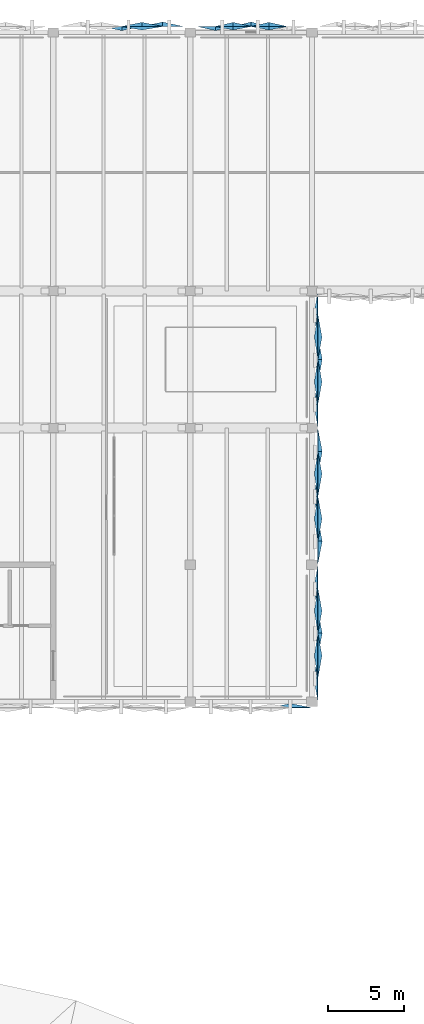
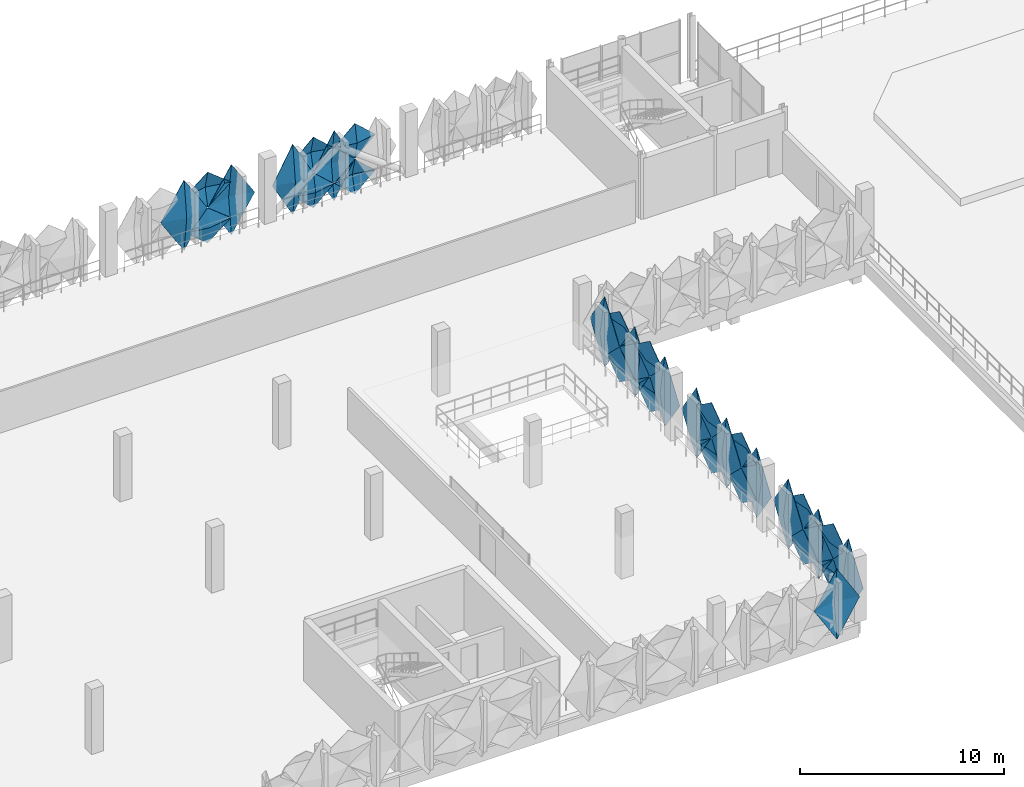
# One storey, part 43 of 52: 32 plates.
"""IFC4 building model written with IfcOpenShell, lengths in metres."""

from ifc_helpers import new_model, si_unit, derived_unit, direction, frame, origin, place, context, subcontext, project, spatial, polygons, material, layer, layer_set, type_object, element, save


model = new_model("IFC4")

# Units and contexts
model_context = context("Model", 3, precision=1e-05, world=origin(), true_north=direction((0.0, 1.0)))
body_context = subcontext(model_context, "Body", "Model", "MODEL_VIEW")
ifc_project = project(units=[si_unit("LENGTHUNIT", "METRE"), si_unit("AREAUNIT", "SQUARE_METRE"), si_unit("VOLUMEUNIT", "CUBIC_METRE"), si_unit("PLANEANGLEUNIT", "RADIAN"), si_unit("MASSUNIT", "GRAM", prefix="KILO"), si_unit("THERMODYNAMICTEMPERATUREUNIT", "KELVIN"), derived_unit("THERMALTRANSMITTANCEUNIT", [(si_unit("POWERUNIT", "WATT"), 1), (si_unit("AREAUNIT", "SQUARE_METRE"), -1), (si_unit("THERMODYNAMICTEMPERATUREUNIT", "KELVIN"), -1)])], contexts=[model_context])

# Site, building, storey
site_placement = place(None, origin())
site = spatial("IfcSite", under=ifc_project, at=site_placement, CompositionType="ELEMENT")
building_placement = place(site_placement, origin())
building = spatial("IfcBuilding", under=site, at=building_placement, Name="Haiyu Intermodal Mobility Hub", CompositionType="ELEMENT")
storey_placement = place(building_placement, frame((0.0, 0.0, 21.199951171875)))
storey = spatial("IfcBuildingStorey", under=building, at=storey_placement, Name="L05", CompositionType="ELEMENT", Elevation=21.199951171875)

# Plates
ifc_material = material(Name="Anodised aluminium 6063-T6", Category="aluminium")
ifc_layer_1 = layer(ifc_material, 0.01806640625)
ifc_layer_set_1 = layer_set([ifc_layer_1], Name="Anodised aluminium 6063-T6")
plate_type_1 = type_object("IfcPlateType", Name="PLT-FC03", PredefinedType="USERDEFINED", material=ifc_layer_set_1)
plate_1_placement = place(storey_placement, origin())
element("IfcPlate", 1, at=plate_1_placement, inside=storey, type_object=plate_type_1, Name="PLT-PYR-0444", ObjectType="FACADE CASSETTE", PredefinedType="USERDEFINED", context=body_context, shape_type="Tessellation", body=[
    polygons([(136.179931640625, 148.39990234375, -0.510009765625), (134.860107421875, 148.39990234375, 1.60009765625), (136.179931640625, 148.39990234375, 3.7099609375), (137.5, 148.39990234375, 1.60009765625), (136.179931640625, 148.679931640625, 1.60009765625), (136.179931640625, 148.3779296875, -0.510009765625), (134.860107421875, 148.3779296875, 1.60009765625), (136.179931640625, 148.3779296875, 3.7099609375), (137.5, 148.3779296875, 1.60009765625), (136.179931640625, 148.657958984375, 1.60009765625)], [[[1, 2, 5]], [[2, 3, 5]], [[3, 4, 5]], [[4, 1, 5]], [[7, 6, 10]], [[8, 7, 10]], [[9, 8, 10]], [[6, 9, 10]], [[1, 6, 7, 2]], [[2, 7, 8, 3]], [[3, 8, 9, 4]], [[4, 9, 6, 1]]], closed=True),
])
plate_2_placement = place(storey_placement, origin())
element("IfcPlate", 2, at=plate_2_placement, inside=storey, type_object=plate_type_1, Name="PLT-PYR-0480", ObjectType="FACADE CASSETTE", PredefinedType="USERDEFINED", context=body_context, shape_type="Tessellation", body=[
    polygons([(143.173095703125, 148.39990234375, -0.52001953125), (142.02001953125, 148.39990234375, 0.530029296875), (143.173095703125, 148.39990234375, 1.580078125), (144.326904296875, 148.39990234375, 0.530029296875), (143.173095703125, 148.659912109375, 0.530029296875), (143.173095703125, 148.3779296875, -0.52001953125), (142.02001953125, 148.3779296875, 0.530029296875), (143.173095703125, 148.3779296875, 1.580078125), (144.326904296875, 148.3779296875, 0.530029296875), (143.173095703125, 148.637939453125, 0.530029296875)], [[[1, 2, 5]], [[2, 3, 5]], [[3, 4, 5]], [[4, 1, 5]], [[7, 6, 10]], [[8, 7, 10]], [[9, 8, 10]], [[6, 9, 10]], [[1, 6, 7, 2]], [[2, 7, 8, 3]], [[3, 8, 9, 4]], [[4, 9, 6, 1]]], closed=True),
])
plate_3_placement = place(storey_placement, origin())
element("IfcPlate", 3, at=plate_3_placement, inside=storey, type_object=plate_type_1, Name="PLT-PYR-0727", ObjectType="FACADE CASSETTE", PredefinedType="USERDEFINED", context=body_context, shape_type="Tessellation", body=[
    polygons([(146.39990234375, 107.027099609375, -0.52001953125), (146.39990234375, 108.47998046875, 0.530029296875), (146.39990234375, 107.027099609375, 1.580078125), (146.39990234375, 105.572998046875, 0.530029296875), (146.659912109375, 107.027099609375, 0.530029296875), (146.3779296875, 107.027099609375, -0.52001953125), (146.3779296875, 108.47998046875, 0.530029296875), (146.3779296875, 107.027099609375, 1.580078125), (146.3779296875, 105.572998046875, 0.530029296875), (146.637939453125, 107.027099609375, 0.530029296875)], [[[1, 2, 5]], [[2, 3, 5]], [[3, 4, 5]], [[4, 1, 5]], [[7, 6, 10]], [[8, 7, 10]], [[9, 8, 10]], [[6, 9, 10]], [[1, 6, 7, 2]], [[2, 7, 8, 3]], [[3, 8, 9, 4]], [[4, 9, 6, 1]]], closed=True),
])
plate_4_placement = place(storey_placement, origin())
element("IfcPlate", 4, at=plate_4_placement, inside=storey, type_object=plate_type_1, Name="PLT-PYR-0733", ObjectType="FACADE CASSETTE", PredefinedType="USERDEFINED", context=body_context, shape_type="Tessellation", body=[
    polygons([(146.39990234375, 114.552978515625, -0.510009765625), (146.39990234375, 116.007080078125, 1.60009765625), (146.39990234375, 114.552978515625, 3.7099609375), (146.39990234375, 113.10009765625, 1.60009765625), (146.679931640625, 114.552978515625, 1.60009765625), (146.3779296875, 114.552978515625, -0.510009765625), (146.3779296875, 116.007080078125, 1.60009765625), (146.3779296875, 114.552978515625, 3.7099609375), (146.3779296875, 113.10009765625, 1.60009765625), (146.657958984375, 114.552978515625, 1.60009765625)], [[[1, 2, 5]], [[2, 3, 5]], [[3, 4, 5]], [[4, 1, 5]], [[7, 6, 10]], [[8, 7, 10]], [[9, 8, 10]], [[6, 9, 10]], [[1, 6, 7, 2]], [[2, 7, 8, 3]], [[3, 8, 9, 4]], [[4, 9, 6, 1]]], closed=True),
])
plate_5_placement = place(storey_placement, origin())
element("IfcPlate", 5, at=plate_5_placement, inside=storey, type_object=plate_type_1, Name="PLT-PYR-0737", ObjectType="FACADE CASSETTE", PredefinedType="USERDEFINED", context=body_context, shape_type="Tessellation", body=[
    polygons([(146.39990234375, 118.972900390625, -0.52001953125), (146.39990234375, 120.427001953125, 0.530029296875), (146.39990234375, 118.972900390625, 1.580078125), (146.39990234375, 117.52001953125, 0.530029296875), (146.659912109375, 118.972900390625, 0.530029296875), (146.3779296875, 118.972900390625, -0.52001953125), (146.3779296875, 120.427001953125, 0.530029296875), (146.3779296875, 118.972900390625, 1.580078125), (146.3779296875, 117.52001953125, 0.530029296875), (146.637939453125, 118.972900390625, 0.530029296875)], [[[1, 2, 5]], [[2, 3, 5]], [[3, 4, 5]], [[4, 1, 5]], [[7, 6, 10]], [[8, 7, 10]], [[9, 8, 10]], [[6, 9, 10]], [[1, 6, 7, 2]], [[2, 7, 8, 3]], [[3, 8, 9, 4]], [[4, 9, 6, 1]]], closed=True),
])
plate_6_placement = place(storey_placement, origin())
element("IfcPlate", 6, at=plate_6_placement, inside=storey, type_object=plate_type_1, Name="PLT-PYR-0741", ObjectType="FACADE CASSETTE", PredefinedType="USERDEFINED", context=body_context, shape_type="Tessellation", body=[
    polygons([(146.39990234375, 125.027099609375, -0.52001953125), (146.39990234375, 126.47998046875, 0.530029296875), (146.39990234375, 125.027099609375, 1.580078125), (146.39990234375, 123.572998046875, 0.530029296875), (146.659912109375, 125.027099609375, 0.530029296875), (146.3779296875, 125.027099609375, -0.52001953125), (146.3779296875, 126.47998046875, 0.530029296875), (146.3779296875, 125.027099609375, 1.580078125), (146.3779296875, 123.572998046875, 0.530029296875), (146.637939453125, 125.027099609375, 0.530029296875)], [[[1, 2, 5]], [[2, 3, 5]], [[3, 4, 5]], [[4, 1, 5]], [[7, 6, 10]], [[8, 7, 10]], [[9, 8, 10]], [[6, 9, 10]], [[1, 6, 7, 2]], [[2, 7, 8, 3]], [[3, 8, 9, 4]], [[4, 9, 6, 1]]], closed=True),
])
ifc_layer_2 = layer(ifc_material, 0.02001953125)
ifc_layer_set_2 = layer_set([ifc_layer_2], Name="Anodised aluminium 6063-T6")
plate_type_2 = type_object("IfcPlateType", Name="PLT-FC04", PredefinedType="USERDEFINED", material=ifc_layer_set_2)
plate_7_placement = place(storey_placement, origin())
element("IfcPlate", 7, at=plate_7_placement, inside=storey, type_object=plate_type_2, Name="PLT-PYR-0445", ObjectType="FACADE CASSETTE", PredefinedType="USERDEFINED", context=body_context, shape_type="Tessellation", body=[
    polygons([(134.840087890625, 148.39990234375, -0.52001953125), (133.52001953125, 148.39990234375, 0.530029296875), (134.840087890625, 148.39990234375, 1.580078125), (136.159912109375, 148.39990234375, 0.530029296875), (134.840087890625, 148.179931640625, 0.530029296875), (134.840087890625, 148.3779296875, -0.52001953125), (133.52001953125, 148.3779296875, 0.530029296875), (134.840087890625, 148.3779296875, 1.580078125), (136.159912109375, 148.3779296875, 0.530029296875), (134.840087890625, 148.157958984375, 0.530029296875)], [[[1, 2, 5]], [[2, 3, 5]], [[3, 4, 5]], [[4, 1, 5]], [[7, 6, 10]], [[8, 7, 10]], [[9, 8, 10]], [[6, 9, 10]], [[1, 6, 7, 2]], [[2, 7, 8, 3]], [[3, 8, 9, 4]], [[4, 9, 6, 1]]], closed=True),
])
plate_8_placement = place(storey_placement, origin())
element("IfcPlate", 8, at=plate_8_placement, inside=storey, type_object=plate_type_2, Name="PLT-PYR-0483", ObjectType="FACADE CASSETTE", PredefinedType="USERDEFINED", context=body_context, shape_type="Tessellation", body=[
    polygons([(140.826904296875, 148.39990234375, -0.52001953125), (139.673095703125, 148.39990234375, 0.530029296875), (140.826904296875, 148.39990234375, 1.580078125), (141.97998046875, 148.39990234375, 0.530029296875), (140.826904296875, 148.179931640625, 0.530029296875), (140.826904296875, 148.3779296875, -0.52001953125), (139.673095703125, 148.3779296875, 0.530029296875), (140.826904296875, 148.3779296875, 1.580078125), (141.97998046875, 148.3779296875, 0.530029296875), (140.826904296875, 148.157958984375, 0.530029296875)], [[[1, 2, 5]], [[2, 3, 5]], [[3, 4, 5]], [[4, 1, 5]], [[7, 6, 10]], [[8, 7, 10]], [[9, 8, 10]], [[6, 9, 10]], [[1, 6, 7, 2]], [[2, 7, 8, 3]], [[3, 8, 9, 4]], [[4, 9, 6, 1]]], closed=True),
])
plate_9_placement = place(storey_placement, origin())
element("IfcPlate", 9, at=plate_9_placement, inside=storey, type_object=plate_type_2, Name="PLT-PYR-0726", ObjectType="FACADE CASSETTE", PredefinedType="USERDEFINED", context=body_context, shape_type="Tessellation", body=[
    polygons([(146.39990234375, 105.552978515625, -0.510009765625), (146.39990234375, 107.007080078125, 1.60009765625), (146.39990234375, 105.552978515625, 3.7099609375), (146.39990234375, 104.10009765625, 1.60009765625), (146.139892578125, 105.552978515625, 1.60009765625), (146.3779296875, 105.552978515625, -0.510009765625), (146.3779296875, 107.007080078125, 1.60009765625), (146.3779296875, 105.552978515625, 3.7099609375), (146.3779296875, 104.10009765625, 1.60009765625), (146.117919921875, 105.552978515625, 1.60009765625)], [[[1, 2, 5]], [[2, 3, 5]], [[3, 4, 5]], [[4, 1, 5]], [[7, 6, 10]], [[8, 7, 10]], [[9, 8, 10]], [[6, 9, 10]], [[1, 6, 7, 2]], [[2, 7, 8, 3]], [[3, 8, 9, 4]], [[4, 9, 6, 1]]], closed=True),
])
plate_10_placement = place(storey_placement, origin())
element("IfcPlate", 10, at=plate_10_placement, inside=storey, type_object=plate_type_2, Name="PLT-PYR-0730", ObjectType="FACADE CASSETTE", PredefinedType="USERDEFINED", context=body_context, shape_type="Tessellation", body=[
    polygons([(146.39990234375, 109.972900390625, -0.52001953125), (146.39990234375, 111.427001953125, 0.530029296875), (146.39990234375, 109.972900390625, 1.580078125), (146.39990234375, 108.52001953125, 0.530029296875), (146.179931640625, 109.972900390625, 0.530029296875), (146.3779296875, 109.972900390625, -0.52001953125), (146.3779296875, 111.427001953125, 0.530029296875), (146.3779296875, 109.972900390625, 1.580078125), (146.3779296875, 108.52001953125, 0.530029296875), (146.157958984375, 109.972900390625, 0.530029296875)], [[[1, 2, 5]], [[2, 3, 5]], [[3, 4, 5]], [[4, 1, 5]], [[7, 6, 10]], [[8, 7, 10]], [[9, 8, 10]], [[6, 9, 10]], [[1, 6, 7, 2]], [[2, 7, 8, 3]], [[3, 8, 9, 4]], [[4, 9, 6, 1]]], closed=True),
])
plate_11_placement = place(storey_placement, origin())
element("IfcPlate", 11, at=plate_11_placement, inside=storey, type_object=plate_type_2, Name="PLT-PYR-0734", ObjectType="FACADE CASSETTE", PredefinedType="USERDEFINED", context=body_context, shape_type="Tessellation", body=[
    polygons([(146.39990234375, 116.027099609375, -0.52001953125), (146.39990234375, 117.47998046875, 0.530029296875), (146.39990234375, 116.027099609375, 1.580078125), (146.39990234375, 114.572998046875, 0.530029296875), (146.179931640625, 116.027099609375, 0.530029296875), (146.3779296875, 116.027099609375, -0.52001953125), (146.3779296875, 117.47998046875, 0.530029296875), (146.3779296875, 116.027099609375, 1.580078125), (146.3779296875, 114.572998046875, 0.530029296875), (146.157958984375, 116.027099609375, 0.530029296875)], [[[1, 2, 5]], [[2, 3, 5]], [[3, 4, 5]], [[4, 1, 5]], [[7, 6, 10]], [[8, 7, 10]], [[9, 8, 10]], [[6, 9, 10]], [[1, 6, 7, 2]], [[2, 7, 8, 3]], [[3, 8, 9, 4]], [[4, 9, 6, 1]]], closed=True),
])
plate_12_placement = place(storey_placement, origin())
element("IfcPlate", 12, at=plate_12_placement, inside=storey, type_object=plate_type_2, Name="PLT-PYR-0740", ObjectType="FACADE CASSETTE", PredefinedType="USERDEFINED", context=body_context, shape_type="Tessellation", body=[
    polygons([(146.39990234375, 123.552978515625, -0.510009765625), (146.39990234375, 125.007080078125, 1.60009765625), (146.39990234375, 123.552978515625, 3.7099609375), (146.39990234375, 122.10009765625, 1.60009765625), (146.139892578125, 123.552978515625, 1.60009765625), (146.3779296875, 123.552978515625, -0.510009765625), (146.3779296875, 125.007080078125, 1.60009765625), (146.3779296875, 123.552978515625, 3.7099609375), (146.3779296875, 122.10009765625, 1.60009765625), (146.117919921875, 123.552978515625, 1.60009765625)], [[[1, 2, 5]], [[2, 3, 5]], [[3, 4, 5]], [[4, 1, 5]], [[7, 6, 10]], [[8, 7, 10]], [[9, 8, 10]], [[6, 9, 10]], [[1, 6, 7, 2]], [[2, 7, 8, 3]], [[3, 8, 9, 4]], [[4, 9, 6, 1]]], closed=True),
])
plate_13_placement = place(storey_placement, origin())
element("IfcPlate", 13, at=plate_13_placement, inside=storey, type_object=plate_type_2, Name="PLT-PYR-0744", ObjectType="FACADE CASSETTE", PredefinedType="USERDEFINED", context=body_context, shape_type="Tessellation", body=[
    polygons([(146.39990234375, 127.972900390625, -0.52001953125), (146.39990234375, 129.427001953125, 0.530029296875), (146.39990234375, 127.972900390625, 1.580078125), (146.39990234375, 126.52001953125, 0.530029296875), (146.179931640625, 127.972900390625, 0.530029296875), (146.3779296875, 127.972900390625, -0.52001953125), (146.3779296875, 129.427001953125, 0.530029296875), (146.3779296875, 127.972900390625, 1.580078125), (146.3779296875, 126.52001953125, 0.530029296875), (146.157958984375, 127.972900390625, 0.530029296875)], [[[1, 2, 5]], [[2, 3, 5]], [[3, 4, 5]], [[4, 1, 5]], [[7, 6, 10]], [[8, 7, 10]], [[9, 8, 10]], [[6, 9, 10]], [[1, 6, 7, 2]], [[2, 7, 8, 3]], [[3, 8, 9, 4]], [[4, 9, 6, 1]]], closed=True),
])
ifc_layer_3 = layer(ifc_material, 0.01806640625)
ifc_layer_set_3 = layer_set([ifc_layer_3], Name="Anodised aluminium 6063-T6")
plate_type_3 = type_object("IfcPlateType", Name="PLT-FC05", PredefinedType="USERDEFINED", material=ifc_layer_set_3)
plate_14_placement = place(storey_placement, origin())
element("IfcPlate", 14, at=plate_14_placement, inside=storey, type_object=plate_type_3, Name="PLT-PYR-0446", ObjectType="FACADE CASSETTE", PredefinedType="USERDEFINED", context=body_context, shape_type="Tessellation", body=[
    polygons([(134.840087890625, 148.39990234375, 1.6201171875), (133.52001953125, 148.39990234375, 2.670166015625), (134.840087890625, 148.39990234375, 3.719970703125), (136.159912109375, 148.39990234375, 2.670166015625), (134.840087890625, 148.659912109375, 2.670166015625), (134.840087890625, 148.3779296875, 1.6201171875), (133.52001953125, 148.3779296875, 2.670166015625), (134.840087890625, 148.3779296875, 3.719970703125), (136.159912109375, 148.3779296875, 2.670166015625), (134.840087890625, 148.637939453125, 2.670166015625)], [[[1, 2, 5]], [[2, 3, 5]], [[3, 4, 5]], [[4, 1, 5]], [[7, 6, 10]], [[8, 7, 10]], [[9, 8, 10]], [[6, 9, 10]], [[1, 6, 7, 2]], [[2, 7, 8, 3]], [[3, 8, 9, 4]], [[4, 9, 6, 1]]], closed=True),
])
plate_15_placement = place(storey_placement, origin())
element("IfcPlate", 15, at=plate_15_placement, inside=storey, type_object=plate_type_3, Name="PLT-PYR-0482", ObjectType="FACADE CASSETTE", PredefinedType="USERDEFINED", context=body_context, shape_type="Tessellation", body=[
    polygons([(142.0, 148.39990234375, -0.510009765625), (140.846923828125, 148.39990234375, 1.60009765625), (142.0, 148.39990234375, 3.7099609375), (143.153076171875, 148.39990234375, 1.60009765625), (142.0, 148.679931640625, 1.60009765625), (142.0, 148.3779296875, -0.510009765625), (140.846923828125, 148.3779296875, 1.60009765625), (142.0, 148.3779296875, 3.7099609375), (143.153076171875, 148.3779296875, 1.60009765625), (142.0, 148.657958984375, 1.60009765625)], [[[1, 2, 5]], [[2, 3, 5]], [[3, 4, 5]], [[4, 1, 5]], [[7, 6, 10]], [[8, 7, 10]], [[9, 8, 10]], [[6, 9, 10]], [[1, 6, 7, 2]], [[2, 7, 8, 3]], [[3, 8, 9, 4]], [[4, 9, 6, 1]]], closed=True),
])
plate_16_placement = place(storey_placement, origin())
element("IfcPlate", 16, at=plate_16_placement, inside=storey, type_object=plate_type_3, Name="PLT-PYR-0484", ObjectType="FACADE CASSETTE", PredefinedType="USERDEFINED", context=body_context, shape_type="Tessellation", body=[
    polygons([(140.826904296875, 148.39990234375, 1.6201171875), (139.673095703125, 148.39990234375, 2.670166015625), (140.826904296875, 148.39990234375, 3.719970703125), (141.97998046875, 148.39990234375, 2.670166015625), (140.826904296875, 148.659912109375, 2.670166015625), (140.826904296875, 148.3779296875, 1.6201171875), (139.673095703125, 148.3779296875, 2.670166015625), (140.826904296875, 148.3779296875, 3.719970703125), (141.97998046875, 148.3779296875, 2.670166015625), (140.826904296875, 148.637939453125, 2.670166015625)], [[[1, 2, 5]], [[2, 3, 5]], [[3, 4, 5]], [[4, 1, 5]], [[7, 6, 10]], [[8, 7, 10]], [[9, 8, 10]], [[6, 9, 10]], [[1, 6, 7, 2]], [[2, 7, 8, 3]], [[3, 8, 9, 4]], [[4, 9, 6, 1]]], closed=True),
])
plate_17_placement = place(storey_placement, origin())
element("IfcPlate", 17, at=plate_17_placement, inside=storey, type_object=plate_type_3, Name="PLT-PYR-0729", ObjectType="FACADE CASSETTE", PredefinedType="USERDEFINED", context=body_context, shape_type="Tessellation", body=[
    polygons([(146.39990234375, 108.5, -0.510009765625), (146.39990234375, 109.952880859375, 1.60009765625), (146.39990234375, 108.5, 3.7099609375), (146.39990234375, 107.047119140625, 1.60009765625), (146.679931640625, 108.5, 1.60009765625), (146.3779296875, 108.5, -0.510009765625), (146.3779296875, 109.952880859375, 1.60009765625), (146.3779296875, 108.5, 3.7099609375), (146.3779296875, 107.047119140625, 1.60009765625), (146.657958984375, 108.5, 1.60009765625)], [[[1, 2, 5]], [[2, 3, 5]], [[3, 4, 5]], [[4, 1, 5]], [[7, 6, 10]], [[8, 7, 10]], [[9, 8, 10]], [[6, 9, 10]], [[1, 6, 7, 2]], [[2, 7, 8, 3]], [[3, 8, 9, 4]], [[4, 9, 6, 1]]], closed=True),
])
plate_18_placement = place(storey_placement, origin())
element("IfcPlate", 18, at=plate_18_placement, inside=storey, type_object=plate_type_3, Name="PLT-PYR-0731", ObjectType="FACADE CASSETTE", PredefinedType="USERDEFINED", context=body_context, shape_type="Tessellation", body=[
    polygons([(146.39990234375, 109.972900390625, 1.6201171875), (146.39990234375, 111.427001953125, 2.670166015625), (146.39990234375, 109.972900390625, 3.719970703125), (146.39990234375, 108.52001953125, 2.670166015625), (146.659912109375, 109.972900390625, 2.670166015625), (146.3779296875, 109.972900390625, 1.6201171875), (146.3779296875, 111.427001953125, 2.670166015625), (146.3779296875, 109.972900390625, 3.719970703125), (146.3779296875, 108.52001953125, 2.670166015625), (146.637939453125, 109.972900390625, 2.670166015625)], [[[1, 2, 5]], [[2, 3, 5]], [[3, 4, 5]], [[4, 1, 5]], [[7, 6, 10]], [[8, 7, 10]], [[9, 8, 10]], [[6, 9, 10]], [[1, 6, 7, 2]], [[2, 7, 8, 3]], [[3, 8, 9, 4]], [[4, 9, 6, 1]]], closed=True),
])
plate_19_placement = place(storey_placement, origin())
element("IfcPlate", 19, at=plate_19_placement, inside=storey, type_object=plate_type_3, Name="PLT-PYR-0735", ObjectType="FACADE CASSETTE", PredefinedType="USERDEFINED", context=body_context, shape_type="Tessellation", body=[
    polygons([(146.39990234375, 116.027099609375, 1.6201171875), (146.39990234375, 117.47998046875, 2.670166015625), (146.39990234375, 116.027099609375, 3.719970703125), (146.39990234375, 114.572998046875, 2.670166015625), (146.659912109375, 116.027099609375, 2.670166015625), (146.3779296875, 116.027099609375, 1.6201171875), (146.3779296875, 117.47998046875, 2.670166015625), (146.3779296875, 116.027099609375, 3.719970703125), (146.3779296875, 114.572998046875, 2.670166015625), (146.637939453125, 116.027099609375, 2.670166015625)], [[[1, 2, 5]], [[2, 3, 5]], [[3, 4, 5]], [[4, 1, 5]], [[7, 6, 10]], [[8, 7, 10]], [[9, 8, 10]], [[6, 9, 10]], [[1, 6, 7, 2]], [[2, 7, 8, 3]], [[3, 8, 9, 4]], [[4, 9, 6, 1]]], closed=True),
])
plate_20_placement = place(storey_placement, origin())
element("IfcPlate", 20, at=plate_20_placement, inside=storey, type_object=plate_type_3, Name="PLT-PYR-0743", ObjectType="FACADE CASSETTE", PredefinedType="USERDEFINED", context=body_context, shape_type="Tessellation", body=[
    polygons([(146.39990234375, 126.5, -0.510009765625), (146.39990234375, 127.952880859375, 1.60009765625), (146.39990234375, 126.5, 3.7099609375), (146.39990234375, 125.047119140625, 1.60009765625), (146.679931640625, 126.5, 1.60009765625), (146.3779296875, 126.5, -0.510009765625), (146.3779296875, 127.952880859375, 1.60009765625), (146.3779296875, 126.5, 3.7099609375), (146.3779296875, 125.047119140625, 1.60009765625), (146.657958984375, 126.5, 1.60009765625)], [[[1, 2, 5]], [[2, 3, 5]], [[3, 4, 5]], [[4, 1, 5]], [[7, 6, 10]], [[8, 7, 10]], [[9, 8, 10]], [[6, 9, 10]], [[1, 6, 7, 2]], [[2, 7, 8, 3]], [[3, 8, 9, 4]], [[4, 9, 6, 1]]], closed=True),
])
plate_21_placement = place(storey_placement, origin())
element("IfcPlate", 21, at=plate_21_placement, inside=storey, type_object=plate_type_3, Name="PLT-PYR-0745", ObjectType="FACADE CASSETTE", PredefinedType="USERDEFINED", context=body_context, shape_type="Tessellation", body=[
    polygons([(146.39990234375, 127.972900390625, 1.6201171875), (146.39990234375, 129.427001953125, 2.670166015625), (146.39990234375, 127.972900390625, 3.719970703125), (146.39990234375, 126.52001953125, 2.670166015625), (146.659912109375, 127.972900390625, 2.670166015625), (146.3779296875, 127.972900390625, 1.6201171875), (146.3779296875, 129.427001953125, 2.670166015625), (146.3779296875, 127.972900390625, 3.719970703125), (146.3779296875, 126.52001953125, 2.670166015625), (146.637939453125, 127.972900390625, 2.670166015625)], [[[1, 2, 5]], [[2, 3, 5]], [[3, 4, 5]], [[4, 1, 5]], [[7, 6, 10]], [[8, 7, 10]], [[9, 8, 10]], [[6, 9, 10]], [[1, 6, 7, 2]], [[2, 7, 8, 3]], [[3, 8, 9, 4]], [[4, 9, 6, 1]]], closed=True),
])
ifc_layer_4 = layer(ifc_material, 0.02001953125)
ifc_layer_set_4 = layer_set([ifc_layer_4], Name="Anodised aluminium 6063-T6")
plate_type_4 = type_object("IfcPlateType", Name="PLT-FC06", PredefinedType="USERDEFINED", material=ifc_layer_set_4)
plate_22_placement = place(storey_placement, origin())
element("IfcPlate", 22, at=plate_22_placement, inside=storey, type_object=plate_type_4, Name="PLT-PYR-0447", ObjectType="FACADE CASSETTE", PredefinedType="USERDEFINED", context=body_context, shape_type="Tessellation", body=[
    polygons([(133.5, 148.39990234375, -0.510009765625), (132.179931640625, 148.39990234375, 1.60009765625), (133.5, 148.39990234375, 3.7099609375), (134.820068359375, 148.39990234375, 1.60009765625), (133.5, 148.139892578125, 1.60009765625), (133.5, 148.3779296875, -0.510009765625), (132.179931640625, 148.3779296875, 1.60009765625), (133.5, 148.3779296875, 3.7099609375), (134.820068359375, 148.3779296875, 1.60009765625), (133.5, 148.117919921875, 1.60009765625)], [[[1, 2, 5]], [[2, 3, 5]], [[3, 4, 5]], [[4, 1, 5]], [[7, 6, 10]], [[8, 7, 10]], [[9, 8, 10]], [[6, 9, 10]], [[1, 6, 7, 2]], [[2, 7, 8, 3]], [[3, 8, 9, 4]], [[4, 9, 6, 1]]], closed=True),
])
plate_23_placement = place(storey_placement, origin())
element("IfcPlate", 23, at=plate_23_placement, inside=storey, type_object=plate_type_4, Name="PLT-PYR-0481", ObjectType="FACADE CASSETTE", PredefinedType="USERDEFINED", context=body_context, shape_type="Tessellation", body=[
    polygons([(143.173095703125, 148.39990234375, 1.6201171875), (142.02001953125, 148.39990234375, 2.670166015625), (143.173095703125, 148.39990234375, 3.719970703125), (144.326904296875, 148.39990234375, 2.670166015625), (143.173095703125, 148.179931640625, 2.670166015625), (143.173095703125, 148.3779296875, 1.6201171875), (142.02001953125, 148.3779296875, 2.670166015625), (143.173095703125, 148.3779296875, 3.719970703125), (144.326904296875, 148.3779296875, 2.670166015625), (143.173095703125, 148.157958984375, 2.670166015625)], [[[1, 2, 5]], [[2, 3, 5]], [[3, 4, 5]], [[4, 1, 5]], [[7, 6, 10]], [[8, 7, 10]], [[9, 8, 10]], [[6, 9, 10]], [[1, 6, 7, 2]], [[2, 7, 8, 3]], [[3, 8, 9, 4]], [[4, 9, 6, 1]]], closed=True),
])
plate_24_placement = place(storey_placement, origin())
element("IfcPlate", 24, at=plate_24_placement, inside=storey, type_object=plate_type_4, Name="PLT-PYR-0728", ObjectType="FACADE CASSETTE", PredefinedType="USERDEFINED", context=body_context, shape_type="Tessellation", body=[
    polygons([(146.39990234375, 107.027099609375, 1.6201171875), (146.39990234375, 108.47998046875, 2.670166015625), (146.39990234375, 107.027099609375, 3.719970703125), (146.39990234375, 105.572998046875, 2.670166015625), (146.179931640625, 107.027099609375, 2.670166015625), (146.3779296875, 107.027099609375, 1.6201171875), (146.3779296875, 108.47998046875, 2.670166015625), (146.3779296875, 107.027099609375, 3.719970703125), (146.3779296875, 105.572998046875, 2.670166015625), (146.157958984375, 107.027099609375, 2.670166015625)], [[[1, 2, 5]], [[2, 3, 5]], [[3, 4, 5]], [[4, 1, 5]], [[7, 6, 10]], [[8, 7, 10]], [[9, 8, 10]], [[6, 9, 10]], [[1, 6, 7, 2]], [[2, 7, 8, 3]], [[3, 8, 9, 4]], [[4, 9, 6, 1]]], closed=True),
])
plate_25_placement = place(storey_placement, origin())
element("IfcPlate", 25, at=plate_25_placement, inside=storey, type_object=plate_type_4, Name="PLT-PYR-0736", ObjectType="FACADE CASSETTE", PredefinedType="USERDEFINED", context=body_context, shape_type="Tessellation", body=[
    polygons([(146.39990234375, 117.5, -0.510009765625), (146.39990234375, 118.952880859375, 1.60009765625), (146.39990234375, 117.5, 3.7099609375), (146.39990234375, 116.047119140625, 1.60009765625), (146.139892578125, 117.5, 1.60009765625), (146.3779296875, 117.5, -0.510009765625), (146.3779296875, 118.952880859375, 1.60009765625), (146.3779296875, 117.5, 3.7099609375), (146.3779296875, 116.047119140625, 1.60009765625), (146.117919921875, 117.5, 1.60009765625)], [[[1, 2, 5]], [[2, 3, 5]], [[3, 4, 5]], [[4, 1, 5]], [[7, 6, 10]], [[8, 7, 10]], [[9, 8, 10]], [[6, 9, 10]], [[1, 6, 7, 2]], [[2, 7, 8, 3]], [[3, 8, 9, 4]], [[4, 9, 6, 1]]], closed=True),
])
plate_26_placement = place(storey_placement, origin())
element("IfcPlate", 26, at=plate_26_placement, inside=storey, type_object=plate_type_4, Name="PLT-PYR-0738", ObjectType="FACADE CASSETTE", PredefinedType="USERDEFINED", context=body_context, shape_type="Tessellation", body=[
    polygons([(146.39990234375, 118.972900390625, 1.6201171875), (146.39990234375, 120.427001953125, 2.670166015625), (146.39990234375, 118.972900390625, 3.719970703125), (146.39990234375, 117.52001953125, 2.670166015625), (146.179931640625, 118.972900390625, 2.670166015625), (146.3779296875, 118.972900390625, 1.6201171875), (146.3779296875, 120.427001953125, 2.670166015625), (146.3779296875, 118.972900390625, 3.719970703125), (146.3779296875, 117.52001953125, 2.670166015625), (146.157958984375, 118.972900390625, 2.670166015625)], [[[1, 2, 5]], [[2, 3, 5]], [[3, 4, 5]], [[4, 1, 5]], [[7, 6, 10]], [[8, 7, 10]], [[9, 8, 10]], [[6, 9, 10]], [[1, 6, 7, 2]], [[2, 7, 8, 3]], [[3, 8, 9, 4]], [[4, 9, 6, 1]]], closed=True),
])
plate_27_placement = place(storey_placement, origin())
element("IfcPlate", 27, at=plate_27_placement, inside=storey, type_object=plate_type_4, Name="PLT-PYR-0742", ObjectType="FACADE CASSETTE", PredefinedType="USERDEFINED", context=body_context, shape_type="Tessellation", body=[
    polygons([(146.39990234375, 125.027099609375, 1.6201171875), (146.39990234375, 126.47998046875, 2.670166015625), (146.39990234375, 125.027099609375, 3.719970703125), (146.39990234375, 123.572998046875, 2.670166015625), (146.179931640625, 125.027099609375, 2.670166015625), (146.3779296875, 125.027099609375, 1.6201171875), (146.3779296875, 126.47998046875, 2.670166015625), (146.3779296875, 125.027099609375, 3.719970703125), (146.3779296875, 123.572998046875, 2.670166015625), (146.157958984375, 125.027099609375, 2.670166015625)], [[[1, 2, 5]], [[2, 3, 5]], [[3, 4, 5]], [[4, 1, 5]], [[7, 6, 10]], [[8, 7, 10]], [[9, 8, 10]], [[6, 9, 10]], [[1, 6, 7, 2]], [[2, 7, 8, 3]], [[3, 8, 9, 4]], [[4, 9, 6, 1]]], closed=True),
])
ifc_layer_5 = layer(ifc_material, 0.02197265625)
ifc_layer_set_5 = layer_set([ifc_layer_5], Name="Anodised aluminium 6063-T6")
plate_type_5 = type_object("IfcPlateType", Name="PLT-FC07", PredefinedType="USERDEFINED", material=ifc_layer_set_5)
plate_28_placement = place(storey_placement, origin())
element("IfcPlate", 28, at=plate_28_placement, inside=storey, type_object=plate_type_5, Name="PLT-PYR-0739", ObjectType="FACADE CASSETTE", PredefinedType="USERDEFINED", context=body_context, shape_type="Tessellation", body=[
    polygons([(146.39990234375, 120.447021484375, -0.510009765625), (146.39990234375, 121.89990234375, 1.60009765625), (146.39990234375, 120.447021484375, 3.7099609375), (146.39990234375, 118.992919921875, 1.60009765625), (146.679931640625, 120.447021484375, 1.60009765625), (146.3779296875, 120.447021484375, -0.510009765625), (146.3779296875, 121.89990234375, 1.60009765625), (146.3779296875, 120.447021484375, 3.7099609375), (146.3779296875, 118.992919921875, 1.60009765625), (146.657958984375, 120.447021484375, 1.60009765625)], [[[1, 2, 5]], [[2, 3, 5]], [[3, 4, 5]], [[4, 1, 5]], [[7, 6, 10]], [[8, 7, 10]], [[9, 8, 10]], [[6, 9, 10]], [[1, 6, 7, 2]], [[2, 7, 8, 3]], [[3, 8, 9, 4]], [[4, 9, 6, 1]]], closed=True),
])
ifc_layer_6 = layer(ifc_material, 0.02392578125)
ifc_layer_set_6 = layer_set([ifc_layer_6], Name="Anodised aluminium 6063-T6")
plate_type_6 = type_object("IfcPlateType", Name="PLT-FC08", PredefinedType="USERDEFINED", material=ifc_layer_set_6)
plate_29_placement = place(storey_placement, origin())
element("IfcPlate", 29, at=plate_29_placement, inside=storey, type_object=plate_type_6, Name="PLT-PYR-0485", ObjectType="FACADE CASSETTE", PredefinedType="USERDEFINED", context=body_context, shape_type="Tessellation", body=[
    polygons([(139.653076171875, 148.39990234375, -0.510009765625), (138.5, 148.39990234375, 1.60009765625), (139.653076171875, 148.39990234375, 3.7099609375), (140.806884765625, 148.39990234375, 1.60009765625), (139.653076171875, 148.139892578125, 1.60009765625), (139.653076171875, 148.3779296875, -0.510009765625), (138.5, 148.3779296875, 1.60009765625), (139.653076171875, 148.3779296875, 3.7099609375), (140.806884765625, 148.3779296875, 1.60009765625), (139.653076171875, 148.117919921875, 1.60009765625)], [[[1, 2, 5]], [[2, 3, 5]], [[3, 4, 5]], [[4, 1, 5]], [[7, 6, 10]], [[8, 7, 10]], [[9, 8, 10]], [[6, 9, 10]], [[1, 6, 7, 2]], [[2, 7, 8, 3]], [[3, 8, 9, 4]], [[4, 9, 6, 1]]], closed=True),
])
plate_30_placement = place(storey_placement, origin())
element("IfcPlate", 30, at=plate_30_placement, inside=storey, type_object=plate_type_6, Name="PLT-PYR-0732", ObjectType="FACADE CASSETTE", PredefinedType="USERDEFINED", context=body_context, shape_type="Tessellation", body=[
    polygons([(146.39990234375, 111.447021484375, -0.510009765625), (146.39990234375, 112.89990234375, 1.60009765625), (146.39990234375, 111.447021484375, 3.7099609375), (146.39990234375, 109.992919921875, 1.60009765625), (146.139892578125, 111.447021484375, 1.60009765625), (146.3779296875, 111.447021484375, -0.510009765625), (146.3779296875, 112.89990234375, 1.60009765625), (146.3779296875, 111.447021484375, 3.7099609375), (146.3779296875, 109.992919921875, 1.60009765625), (146.117919921875, 111.447021484375, 1.60009765625)], [[[1, 2, 5]], [[2, 3, 5]], [[3, 4, 5]], [[4, 1, 5]], [[7, 6, 10]], [[8, 7, 10]], [[9, 8, 10]], [[6, 9, 10]], [[1, 6, 7, 2]], [[2, 7, 8, 3]], [[3, 8, 9, 4]], [[4, 9, 6, 1]]], closed=True),
])
plate_31_placement = place(storey_placement, origin())
element("IfcPlate", 31, at=plate_31_placement, inside=storey, type_object=plate_type_6, Name="PLT-PYR-0746", ObjectType="FACADE CASSETTE", PredefinedType="USERDEFINED", context=body_context, shape_type="Tessellation", body=[
    polygons([(146.39990234375, 129.447021484375, -0.510009765625), (146.39990234375, 130.89990234375, 1.60009765625), (146.39990234375, 129.447021484375, 3.7099609375), (146.39990234375, 127.992919921875, 1.60009765625), (146.139892578125, 129.447021484375, 1.60009765625), (146.3779296875, 129.447021484375, -0.510009765625), (146.3779296875, 130.89990234375, 1.60009765625), (146.3779296875, 129.447021484375, 3.7099609375), (146.3779296875, 127.992919921875, 1.60009765625), (146.117919921875, 129.447021484375, 1.60009765625)], [[[1, 2, 5]], [[2, 3, 5]], [[3, 4, 5]], [[4, 1, 5]], [[7, 6, 10]], [[8, 7, 10]], [[9, 8, 10]], [[6, 9, 10]], [[1, 6, 7, 2]], [[2, 7, 8, 3]], [[3, 8, 9, 4]], [[4, 9, 6, 1]]], closed=True),
])
plate_32_placement = place(storey_placement, origin())
element("IfcPlate", 32, at=plate_32_placement, inside=storey, type_object=plate_type_6, Name="PLT-PYR-1014", ObjectType="FACADE CASSETTE", PredefinedType="USERDEFINED", context=body_context, shape_type="Tessellation", body=[
    polygons([(144.613037109375, 103.60009765625, -0.510009765625), (145.89990234375, 103.60009765625, 1.60009765625), (144.613037109375, 103.60009765625, 3.7099609375), (143.326904296875, 103.60009765625, 1.60009765625), (144.613037109375, 103.860107421875, 1.60009765625), (144.613037109375, 103.6220703125, -0.510009765625), (145.89990234375, 103.6220703125, 1.60009765625), (144.613037109375, 103.6220703125, 3.7099609375), (143.326904296875, 103.6220703125, 1.60009765625), (144.613037109375, 103.882080078125, 1.60009765625)], [[[1, 2, 5]], [[2, 3, 5]], [[3, 4, 5]], [[4, 1, 5]], [[7, 6, 10]], [[8, 7, 10]], [[9, 8, 10]], [[6, 9, 10]], [[1, 6, 7, 2]], [[2, 7, 8, 3]], [[3, 8, 9, 4]], [[4, 9, 6, 1]]], closed=True),
])

save(model, "model.ifc")
